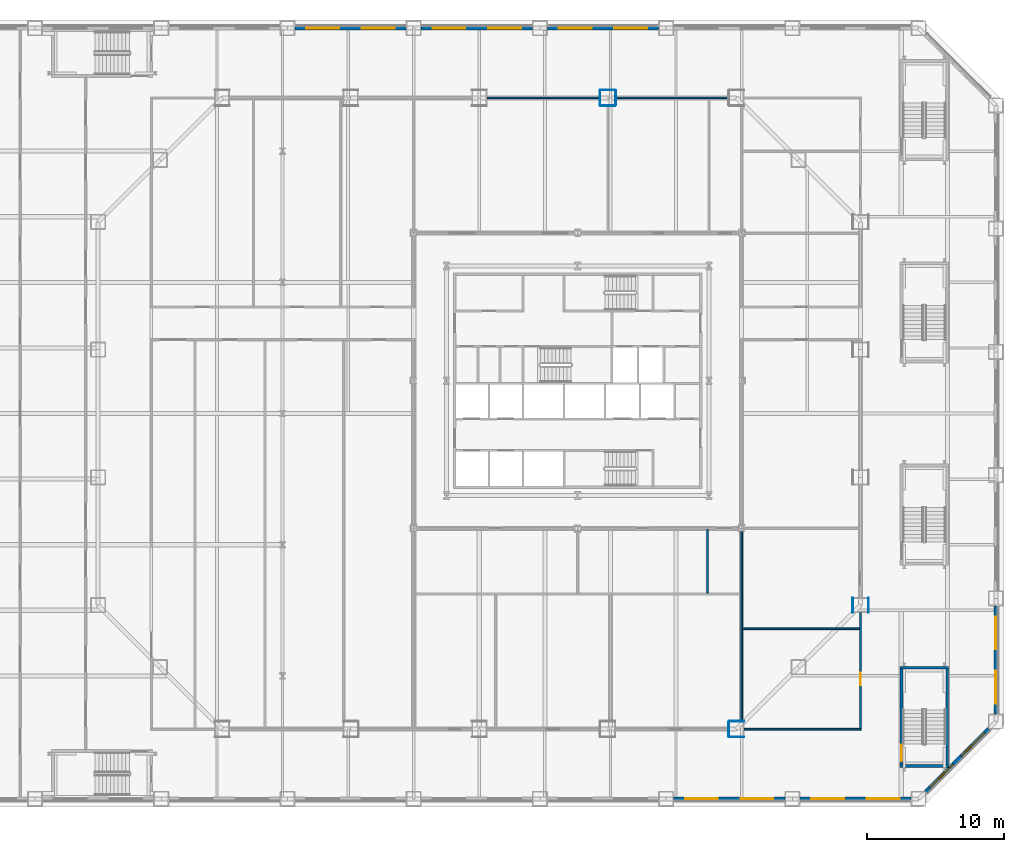
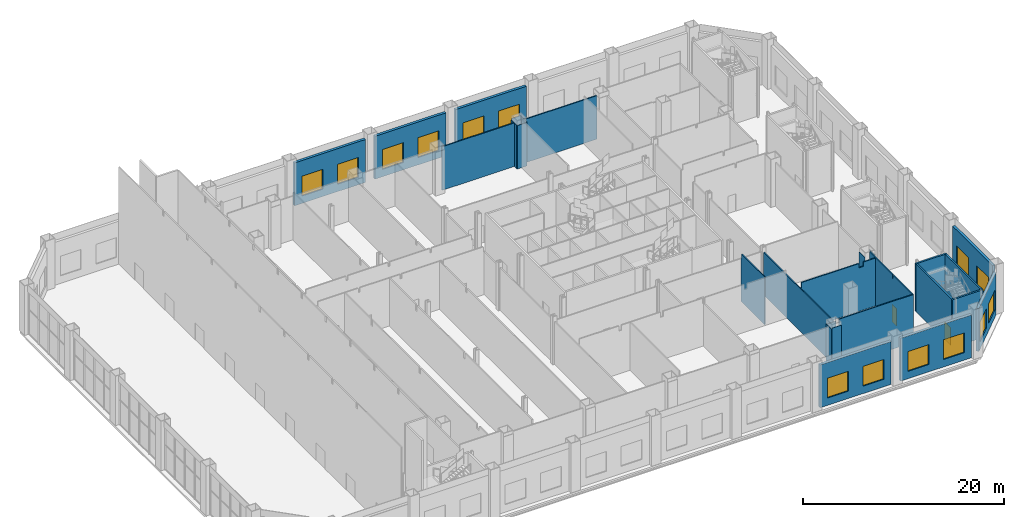
# One storey, part 21 of 31: 27 walls, 14 windows, 2 doors, 16 openings.
"""IFC4 building model written with IfcOpenShell, lengths in metres."""

import ifcopenshell
import ifcopenshell.guid

model = None  # the IFC model being written
_history = None  # IfcOwnerHistory: only IFC2X3 demands one
_inside = {}  # id of a spatial element -> (the spatial element, [elements in it])
_under = {}  # id of a project, library or spatial element -> (it, [spatial elements below it])
_declared = {}  # id of a project -> (the project, [libraries it declares])
_typed = {}  # id of a type object -> (the type object, [elements of that type])
_made_of = {}  # id of a material, layer set ... -> (it, [elements and type objects made of it])


def new_model(schema):
    """Start an empty IFC model of exactly this schema.

    Asked for "IFC4X3", IfcOpenShell would pick the latest addendum, in which some entities
    have other attributes; the version numbers below select the first issue.
    IFC2X3 requires an IfcOwnerHistory on every rooted entity: one is made here for all.
    """
    global model, _history
    if schema == "IFC4X3":
        model = ifcopenshell.file(schema_version=(4, 3, 0, 0))
    else:
        model = ifcopenshell.file(schema=schema)
    _inside.clear()
    _under.clear()
    _declared.clear()
    _typed.clear()
    _made_of.clear()
    _history = None
    if model.schema == "IFC2X3":
        org = make("IfcOrganization", Name="unknown")
        user = make(
            "IfcPersonAndOrganization",
            ThePerson=make("IfcPerson", FamilyName="unknown"),
            TheOrganization=org,
        )
        app = make(
            "IfcApplication",
            ApplicationDeveloper=org,
            Version="unknown",
            ApplicationFullName="unknown",
            ApplicationIdentifier="unknown",
        )
        _history = make(
            "IfcOwnerHistory",
            OwningUser=user,
            OwningApplication=app,
            ChangeAction="ADDED",
            CreationDate=0,
        )
    return model


def make(cls, **values):
    """One entity of the class cls with the attributes given. An attribute that is None is left unset."""
    return model.create_entity(
        cls, **{name: value for name, value in values.items() if value is not None}
    )


def rooted(cls, **values):
    """An entity with a GlobalId (a new one), such as an element, a storey or a relation."""
    return make(cls, GlobalId=ifcopenshell.guid.new(), OwnerHistory=_history, **values)


def si_unit(unit_type, name, prefix=None):
    """IfcSIUnit, for example si_unit("LENGTHUNIT", "METRE", prefix="MILLI")."""
    return make("IfcSIUnit", UnitType=unit_type, Prefix=prefix, Name=name)


def assignment(units):
    """IfcUnitAssignment: the units of a project."""
    return None if units is None else make("IfcUnitAssignment", Units=units)


def point(xyz):
    """IfcCartesianPoint."""
    return None if xyz is None else make("IfcCartesianPoint", Coordinates=xyz)


def direction(xyz):
    """IfcDirection."""
    return None if xyz is None else make("IfcDirection", DirectionRatios=xyz)


def frame(location, z_axis=None, x_axis=None):
    """IfcAxis2Placement3D, a coordinate frame: its origin and axes. An axis left out is left unset."""
    return make(
        "IfcAxis2Placement3D",
        Location=point(location),
        Axis=direction(z_axis),
        RefDirection=direction(x_axis),
    )


def frame_2d(location, x_axis=None):
    """IfcAxis2Placement2D, a coordinate frame in the plane: its origin and x axis."""
    return make(
        "IfcAxis2Placement2D", Location=point(location), RefDirection=direction(x_axis)
    )


def origin():
    """The frame at (0, 0, 0) with its axes left unset."""
    return frame((0.0, 0.0, 0.0))


def place(relative_to, where):
    """IfcLocalPlacement: puts the frame where relative to a parent placement (None: the world)."""
    return make(
        "IfcLocalPlacement", PlacementRelTo=relative_to, RelativePlacement=where
    )


def context(
    kind, dimensions, precision=None, world=None, true_north=None, identifier=None
):
    """IfcGeometricRepresentationContext, for example the 3D "Model" context."""
    return make(
        "IfcGeometricRepresentationContext",
        ContextIdentifier=identifier,
        ContextType=kind,
        CoordinateSpaceDimension=dimensions,
        Precision=precision,
        WorldCoordinateSystem=world,
        TrueNorth=true_north,
    )


def subcontext(parent, identifier, kind, view, scale=None):
    """IfcGeometricRepresentationSubContext, for example "Body" below "Model"."""
    return make(
        "IfcGeometricRepresentationSubContext",
        ContextIdentifier=identifier,
        ContextType=kind,
        ParentContext=parent,
        TargetScale=scale,
        TargetView=view,
    )


def project(units=None, contexts=None):
    """IfcProject with its units and contexts."""
    return rooted(
        "IfcProject",
        Name="project",
        RepresentationContexts=contexts,
        UnitsInContext=assignment(units),
    )


def spatial(cls, under=None, at=None, **own):
    """A site, building, storey or space (cls), placed at a placement, below another one or the project."""
    s = rooted(cls, ObjectPlacement=at, **own)
    if under is not None:
        _under.setdefault(under.id(), (under, []))[1].append(s)
    return s


def polyline(points):
    """IfcPolyline through the points."""
    return make("IfcPolyline", Points=[point(p) for p in points])


def profile(cls, at=None, kind="AREA", **sizes):
    """A parametric profile (cls). Its sizes go by their IFC names, for example OverallWidth=200.0."""
    return make(cls, ProfileType=kind, Position=at, **sizes)


def rectangle(**sizes):
    """IfcRectangleProfileDef."""
    return profile("IfcRectangleProfileDef", **sizes)


def outline(outer, holes=None, kind="AREA"):
    """IfcArbitraryClosedProfileDef: a profile drawn as a closed curve; with holes, ...WithVoids."""
    if holes is None:
        return make("IfcArbitraryClosedProfileDef", ProfileType=kind, OuterCurve=outer)
    return make(
        "IfcArbitraryProfileDefWithVoids",
        ProfileType=kind,
        OuterCurve=outer,
        InnerCurves=holes,
    )


def extrude(swept, where, along, depth):
    """IfcExtrudedAreaSolid: the profile swept, set in the frame where, extruded along a direction by depth."""
    return make(
        "IfcExtrudedAreaSolid",
        SweptArea=swept,
        Position=where,
        ExtrudedDirection=direction(along),
        Depth=depth,
    )


def shape(context_of_items, identifier, shape_type, items):
    """IfcShapeRepresentation: the items that make up one representation, for example the "Body"."""
    return make(
        "IfcShapeRepresentation",
        ContextOfItems=context_of_items,
        RepresentationIdentifier=identifier,
        RepresentationType=shape_type,
        Items=items,
    )


def material(Name=None, Category=None):
    """IfcMaterial."""
    return make("IfcMaterial", Name=Name, Category=Category)


def layer(
    of_material, thickness, ventilated=None, Name=None, Category=None, Priority=None
):
    """IfcMaterialLayer: one layer of a wall or slab, of a material (None: an air gap)."""
    return make(
        "IfcMaterialLayer",
        Material=of_material,
        LayerThickness=thickness,
        IsVentilated=ventilated,
        Name=Name,
        Category=Category,
        Priority=Priority,
    )


def layer_set(layers, Name=None):
    """IfcMaterialLayerSet."""
    return make("IfcMaterialLayerSet", MaterialLayers=layers, LayerSetName=Name)


def made_of(thing, what):
    """Note that an element or type object is made of a material, layer set ...; save() writes the relation."""
    if what is not None:
        _made_of.setdefault(what.id(), (what, []))[1].append(thing)
    return thing


def type_object(cls, material=None, **own):
    """A type object (cls), such as IfcWallType, which elements share."""
    return made_of(rooted(cls, **own), material)


def element(
    cls,
    number,
    at=None,
    inside=None,
    cuts=None,
    type_object=None,
    material=None,
    context=None,
    identifier="Body",
    shape_type=None,
    held_by="IfcProductDefinitionShape",
    body=None,
    shapes=None,
    **own,
):
    """One element of the class cls, such as IfcWall. Its Tag is "e" and its number.

    at: its placement. inside: the storey or other place that contains it. cuts: it is an
    opening in that element (IfcRelVoidsElement). A single representation is given by context,
    identifier, shape_type and body (its items); several are given by shapes. held_by: the class
    of the entity that holds the representations. save() writes the other relations.
    """
    e = rooted(cls, Tag="e%d" % number, ObjectPlacement=at, **own)
    if body is not None:
        shapes = [shape(context, identifier, shape_type, body)]
    if shapes is not None:
        e.Representation = make(held_by, Representations=shapes)
    if inside is not None:
        _inside.setdefault(inside.id(), (inside, []))[1].append(e)
    if cuts is not None:
        rooted(
            "IfcRelVoidsElement", RelatingBuildingElement=cuts, RelatedOpeningElement=e
        )
    if type_object is not None:
        _typed.setdefault(type_object.id(), (type_object, []))[1].append(e)
    return made_of(e, material)


def fill(opening, filler):
    """IfcRelFillsElement: the door or window that sits in an opening."""
    return rooted(
        "IfcRelFillsElement",
        RelatingOpeningElement=opening,
        RelatedBuildingElement=filler,
    )


def aggregate(whole, parts):
    """IfcRelAggregates: a whole, such as a stair, and the parts it consists of."""
    return rooted("IfcRelAggregates", RelatingObject=whole, RelatedObjects=parts)


def save(model, path):
    """Write the relations noted so far, then the file.

    IfcRelAggregates (storeys below a building ...), IfcRelContainedInSpatialStructure (elements
    in a storey), IfcRelDefinesByType, IfcRelAssociatesMaterial and IfcRelDeclares: one each for
    every whole, place, type object, material and project.
    """
    for whole, parts in _under.values():
        aggregate(whole, parts)
    for where, things in _inside.values():
        rooted(
            "IfcRelContainedInSpatialStructure",
            RelatedElements=things,
            RelatingStructure=where,
        )
    for kind, things in _typed.values():
        rooted("IfcRelDefinesByType", RelatedObjects=things, RelatingType=kind)
    for what, things in _made_of.values():
        rooted("IfcRelAssociatesMaterial", RelatedObjects=things, RelatingMaterial=what)
    for by, libraries in _declared.values():
        rooted("IfcRelDeclares", RelatingContext=by, RelatedDefinitions=libraries)
    model.write(path)


model = new_model("IFC4")

# Units and contexts
model_context = context("Model", 3, precision=1e-05, world=origin(), true_north=direction((0.0, 1.0)))
body_context = subcontext(model_context, "Body", "Model", "MODEL_VIEW")
ifc_project = project(units=[si_unit("LENGTHUNIT", "METRE"), si_unit("AREAUNIT", "SQUARE_METRE"), si_unit("VOLUMEUNIT", "CUBIC_METRE"), si_unit("PLANEANGLEUNIT", "RADIAN"), si_unit("MASSUNIT", "GRAM", prefix="KILO")], contexts=[model_context])

# Site, building, storey
site_placement = place(None, origin())
site = spatial("IfcSite", under=ifc_project, at=site_placement, CompositionType="ELEMENT")
building_placement = place(site_placement, origin())
building = spatial("IfcBuilding", under=site, at=building_placement, Name="Cairn Pilgrim Tower", CompositionType="ELEMENT")
storey_placement = place(building_placement, frame((0.0, 0.0, 9.0)))
storey = spatial("IfcBuildingStorey", under=building, at=storey_placement, Name="L01", CompositionType="ELEMENT", Elevation=9.0)

# Wall
ifc_material_1 = material(Name="Gypsum partition")
ifc_layer_1 = layer(ifc_material_1, 0.125)
ifc_layer_set_1 = layer_set([ifc_layer_1], Name="PARTITION 125 DRYWALL EI 60")
wall_type_1 = type_object("IfcWallType", Name="PARTITION 125 DRYWALL EI 60", PredefinedType="PARTITIONING", material=ifc_layer_set_1)
wall_1_placement = place(storey_placement, frame((19.377197265625, -23.10009765625, 0.0), z_axis=(0.0, 0.0, 1.0), x_axis=(1.0, 0.0, 0.0)))
element("IfcWall", 1, at=wall_1_placement, inside=storey, type_object=wall_type_1, Name="PARTITION W015", PredefinedType="PARTITIONING", context=body_context, shape_type="SweptSolid", body=[
    extrude(rectangle(XDim=8.585205078125, YDim=0.125, at=frame_2d((4.29248046875, 0.0))), origin(), (0.0, 0.0, 1.0), 5.800048828125),
])

# Wall, opening, door
wall_2_placement = place(storey_placement, frame((27.89990234375, -23.03759765625, 0.0), z_axis=(0.0, 0.0, 1.0), x_axis=(0.0, 1.0, 0.0)))
wall_2 = element("IfcWall", 2, at=wall_2_placement, inside=storey, type_object=wall_type_1, Name="PARTITION W021", PredefinedType="PARTITIONING", context=body_context, shape_type="SweptSolid", body=[
    extrude(outline(polyline([(0.0, 0.0), (8.46044921875, 0.0), (8.460205078125, 5.800048828125), (3.927490234375, 5.800048828125), (3.925537109375, 5.3798828125), (3.74755859375, 5.3798828125), (3.74560546875, 5.800048828125), (0.0, 5.800048828125), (0.0, 0.0)])), frame((0.0, 0.0625, 0.0), z_axis=(0.0, -1.0, 0.0), x_axis=(1.0, 0.0, 0.0)), (0.0, 0.0, 1.0), 0.125),
])
opening_1_placement = place(wall_2_placement, frame((3.16259765625, 0.0, 0.0)))
opening_1 = element("IfcOpeningElement", 3, at=opening_1_placement, cuts=wall_2, Name="Opening 0122", PredefinedType="OPENING", context=body_context, shape_type="SweptSolid", body=[
    extrude(rectangle(XDim=0.89990234375, YDim=2.10009765625, at=frame_2d((0.449951171875, 1.050048828125))), frame((0.0, 0.072509765625, 0.0), z_axis=(0.0, -1.0, 0.0), x_axis=(1.0, 0.0, 0.0)), (0.0, 0.0, 1.0), 0.14501953125),
])
ifc_material_2 = material(Name="Timber door leaf", Category="wood")
door_type_1 = type_object("IfcDoorType", Name="ROOM DOOR 900x2100 FD30S", OperationType="NOTDEFINED", PredefinedType="DOOR", material=ifc_material_2)
door_1_placement = place(opening_1_placement, frame((0.89990234375, 0.0, 0.0), z_axis=(0.0, 0.0, 1.0), x_axis=(-1.0, 0.0, 0.0)))
door_1 = element("IfcDoor", 4, at=door_1_placement, inside=storey, type_object=door_type_1, Name="DOOR 0122", OperationType="SINGLE_SWING_RIGHT", OverallHeight=2.10009765625, OverallWidth=0.89990234375, PredefinedType="DOOR", context=body_context, shape_type="SweptSolid", body=[
    extrude(rectangle(XDim=0.89990234375, YDim=2.10009765625, at=frame_2d((0.449951171875, 1.050048828125))), frame((0.0, 0.02490234375, 0.0), z_axis=(0.0, -1.0, 0.0), x_axis=(1.0, 0.0, 0.0)), (0.0, 0.0, 1.0), 0.050048828125),
])
fill(opening_1, door_1)

# Walls
wall_3_placement = place(storey_placement, frame((19.199951171875, -22.550048828125, 0.0), z_axis=(0.0, 0.0, 1.0), x_axis=(0.0, 1.0, 0.0)))
element("IfcWall", 5, at=wall_3_placement, inside=storey, type_object=wall_type_1, Name="PARTITION W024", PredefinedType="PARTITIONING", context=body_context, shape_type="SweptSolid", body=[
    extrude(rectangle(XDim=13.9130859375, YDim=0.125, at=frame_2d((6.95654296875, 0.0))), origin(), (0.0, 0.0, 1.0), 5.179931640625),
])
wall_4_placement = place(storey_placement, frame((19.262451171875, -15.75, 0.0), z_axis=(0.0, 0.0, 1.0), x_axis=(1.0, 0.0, 0.0)))
element("IfcWall", 6, at=wall_4_placement, inside=storey, type_object=wall_type_1, Name="PARTITION W026", PredefinedType="PARTITIONING", context=body_context, shape_type="SweptSolid", body=[
    extrude(outline(polyline([(0.0, 0.0), (8.574951171875, 0.0), (8.574951171875, 5.800048828125), (7.189208984375, 5.800048828125), (7.187255859375, 5.280029296875), (6.64013671875, 5.280029296875), (6.63818359375, 5.800048828125), (0.08740234375, 5.800048828125), (0.08544921875, 5.179931640625), (0.0, 5.179931640625), (0.0, 0.0)])), frame((0.0, 0.0625, 0.0), z_axis=(0.0, -1.0, 0.0), x_axis=(1.0, 0.0, 0.0)), (0.0, 0.0, 1.0), 0.125),
])
wall_5_placement = place(storey_placement, frame((16.699951171875, -13.137451171875, 0.0), z_axis=(0.0, 0.0, 1.0), x_axis=(0.0, 1.0, 0.0)))
element("IfcWall", 7, at=wall_5_placement, inside=storey, type_object=wall_type_1, Name="PARTITION W030", PredefinedType="PARTITIONING", context=body_context, shape_type="SweptSolid", body=[
    extrude(outline(polyline([(0.0, 0.0), (4.675048828125, 0.0), (4.675048828125, 5.179931640625), (4.58740234375, 5.179931640625), (4.58544921875, 5.800048828125), (0.0, 5.800048828125), (0.0, 0.0)])), frame((0.0, 0.0625, 0.0), z_axis=(0.0, -1.0, 0.0), x_axis=(1.0, 0.0, 0.0)), (0.0, 0.0, 1.0), 0.125),
])
for number, where, z_axis, x_axis, name in (
    (8, (0.550048828125, 23.10009765625, 0.0), (0.0, 0.0, 1.0), (1.0, 0.0, 0.0), "PARTITION W073"),
    (9, (9.963623046875, 23.10009765625, 0.0), (0.0, 0.0, 1.0), (1.0, 0.0, 0.0), "PARTITION W074"),
):
    element("IfcWall", number, at=place(storey_placement, frame(where, z_axis=z_axis, x_axis=x_axis)), inside=storey, type_object=wall_type_1, Name=name, PredefinedType="PARTITIONING", context=body_context, shape_type="SweptSolid", body=[
        extrude(rectangle(XDim=8.3134765625, YDim=0.125, at=frame_2d((4.15673828125, 0.0))), origin(), (0.0, 0.0, 1.0), 5.280029296875),
    ])
ifc_layer_2 = layer(ifc_material_1, 0.050048828125)
ifc_layer_set_2 = layer_set([ifc_layer_2], Name="PARTITION 50 DRYWALL EI 60")
wall_type_2 = type_object("IfcWallType", Name="PARTITION 50 DRYWALL EI 60", PredefinedType="PARTITIONING", material=ifc_layer_set_2)
wall_6_placement = place(storey_placement, frame((18.277099609375, -22.52490234375, 0.0), z_axis=(0.0, 0.0, 1.0), x_axis=(1.0, 0.0, 0.0)))
element("IfcWall", 10, at=wall_6_placement, inside=storey, type_object=wall_type_2, Name="COLUMN CASING WC09", PredefinedType="PARTITIONING", context=body_context, shape_type="SweptSolid", body=[
    extrude(rectangle(XDim=1.10009765625, YDim=0.050048828125, at=frame_2d((0.550048828125, 0.0))), origin(), (0.0, 0.0, 1.0), 5.179931640625),
])
wall_7_placement = place(storey_placement, frame((18.277099609375, -23.675048828125, 0.0), z_axis=(0.0, 0.0, 1.0), x_axis=(1.0, 0.0, 0.0)))
element("IfcWall", 11, at=wall_7_placement, inside=storey, type_object=wall_type_2, Name="COLUMN CASING WC10", PredefinedType="PARTITIONING", context=body_context, shape_type="SweptSolid", body=[
    extrude(rectangle(XDim=1.10009765625, YDim=0.050048828125, at=frame_2d((0.550048828125, 0.0))), origin(), (0.0, 0.0, 1.0), 5.419921875),
])
for number, where, z_axis, x_axis, name in (
    (12, (18.252197265625, -23.64990234375, 0.0), (0.0, 0.0, 1.0), (0.0, 1.0, 0.0), "COLUMN CASING WC14"),
    (13, (27.324951171875, -14.5771484375, 0.0), (0.0, 0.0, 1.0), (0.0, 1.0, 0.0), "COLUMN CASING WC16"),
    (14, (28.47509765625, -14.5771484375, 0.0), (0.0, 0.0, 1.0), (0.0, 1.0, 0.0), "COLUMN CASING WC17"),
    (15, (9.988525390625, 22.550048828125, 0.0), (0.0, 0.0, 1.0), (0.0, 1.0, 0.0), "COLUMN CASING WC35"),
    (16, (8.838623046875, 22.550048828125, 0.0), (0.0, 0.0, 1.0), (0.0, 1.0, 0.0), "COLUMN CASING WC36"),
):
    element("IfcWall", number, at=place(storey_placement, frame(where, z_axis=z_axis, x_axis=x_axis)), inside=storey, type_object=wall_type_2, Name=name, PredefinedType="PARTITIONING", context=body_context, shape_type="SweptSolid", body=[
        extrude(rectangle(XDim=1.099853515625, YDim=0.050048828125, at=frame_2d((0.5498046875, 0.0))), origin(), (0.0, 0.0, 1.0), 5.280029296875),
    ])
wall_8_placement = place(storey_placement, frame((8.863525390625, 23.675048828125, 0.0), z_axis=(0.0, 0.0, 1.0), x_axis=(1.0, 0.0, 0.0)))
element("IfcWall", 17, at=wall_8_placement, inside=storey, type_object=wall_type_2, Name="COLUMN CASING WC44", PredefinedType="PARTITIONING", context=body_context, shape_type="SweptSolid", body=[
    extrude(rectangle(XDim=1.10009765625, YDim=0.050048828125, at=frame_2d((0.550048828125, 0.0))), origin(), (0.0, 0.0, 1.0), 5.419921875),
])
wall_9_placement = place(storey_placement, frame((8.863525390625, 22.52490234375, 0.0), z_axis=(0.0, 0.0, 1.0), x_axis=(1.0, 0.0, 0.0)))
element("IfcWall", 18, at=wall_9_placement, inside=storey, type_object=wall_type_2, Name="COLUMN CASING WC45", PredefinedType="PARTITIONING", context=body_context, shape_type="SweptSolid", body=[
    extrude(rectangle(XDim=1.10009765625, YDim=0.050048828125, at=frame_2d((0.550048828125, 0.0))), origin(), (0.0, 0.0, 1.0), 5.280029296875),
])
ifc_material_3 = material(Name="Concrete C35/45", Category="concrete")
ifc_layer_3 = layer(ifc_material_3, 0.199951171875)
ifc_layer_set_3 = layer_set([ifc_layer_3], Name="PODIUM STAIR WALL 200 EI 120")
wall_type_3 = type_object("IfcWallType", Name="PODIUM STAIR WALL 200 EI 120", PredefinedType="SOLIDWALL", material=ifc_layer_set_3)
wall_10_placement = place(storey_placement, frame((30.800048828125, -25.800048828125, 0.0), z_axis=(0.0, 0.0, 1.0), x_axis=(1.0, 0.0, 0.0)))
element("IfcWall", 19, at=wall_10_placement, inside=storey, type_object=wall_type_3, Name="STAIR SHAFT WALL W004", PredefinedType="SOLIDWALL", context=body_context, shape_type="SweptSolid", body=[
    extrude(rectangle(XDim=3.550048828125, YDim=0.199951171875, at=frame_2d((1.77490234375, 0.0))), origin(), (0.0, 0.0, 1.0), 5.800048828125),
])

# Wall, opening, door
wall_11_placement = place(storey_placement, frame((30.89990234375, -25.699951171875, 0.0), z_axis=(0.0, 0.0, 1.0), x_axis=(0.0, 1.0, 0.0)))
wall_11 = element("IfcWall", 20, at=wall_11_placement, inside=storey, type_object=wall_type_3, Name="STAIR SHAFT WALL W005", PredefinedType="SOLIDWALL", context=body_context, shape_type="SweptSolid", body=[
    extrude(rectangle(XDim=7.0, YDim=0.199951171875, at=frame_2d((3.5, 0.0))), origin(), (0.0, 0.0, 1.0), 5.800048828125),
])
opening_2_placement = place(wall_11_placement, frame((0.25, 0.0, 0.0)))
opening_2 = element("IfcOpeningElement", 21, at=opening_2_placement, cuts=wall_11, Name="Opening 0128", PredefinedType="OPENING", context=body_context, shape_type="SweptSolid", body=[
    extrude(rectangle(XDim=1.199951171875, YDim=2.10009765625, at=frame_2d((0.60009765625, 1.050048828125))), frame((0.0, 0.10986328125, 0.0), z_axis=(0.0, -1.0, 0.0), x_axis=(1.0, 0.0, 0.0)), (0.0, 0.0, 1.0), 0.219970703125),
])
ifc_material_4 = material(Name="Steel-faced fire door leaf", Category="steel")
door_type_2 = type_object("IfcDoorType", Name="FIRE DOOR 1200x2100 FD60S", OperationType="NOTDEFINED", PredefinedType="DOOR", material=ifc_material_4)
door_2_placement = place(opening_2_placement, frame((1.199951171875, 0.0, 0.0), z_axis=(0.0, 0.0, 1.0), x_axis=(-1.0, 0.0, 0.0)))
door_2 = element("IfcDoor", 22, at=door_2_placement, inside=storey, type_object=door_type_2, Name="DOOR 0128", OperationType="SINGLE_SWING_LEFT", OverallHeight=2.10009765625, OverallWidth=1.199951171875, PredefinedType="DOOR", context=body_context, shape_type="SweptSolid", body=[
    extrude(rectangle(XDim=1.199951171875, YDim=2.10009765625, at=frame_2d((0.60009765625, 1.050048828125))), frame((0.0, 0.02490234375, 0.0), z_axis=(0.0, -1.0, 0.0), x_axis=(1.0, 0.0, 0.0)), (0.0, 0.0, 1.0), 0.050048828125),
])
fill(opening_2, door_2)

# Walls
wall_12_placement = place(storey_placement, frame((34.25, -25.699951171875, 0.0), z_axis=(0.0, 0.0, 1.0), x_axis=(0.0, 1.0, 0.0)))
element("IfcWall", 23, at=wall_12_placement, inside=storey, type_object=wall_type_3, Name="STAIR SHAFT WALL W006", PredefinedType="SOLIDWALL", context=body_context, shape_type="SweptSolid", body=[
    extrude(rectangle(XDim=7.0, YDim=0.199951171875, at=frame_2d((3.5, 0.0))), origin(), (0.0, 0.0, 1.0), 5.800048828125),
])
wall_13_placement = place(storey_placement, frame((30.800048828125, -18.60009765625, 0.0), z_axis=(0.0, 0.0, 1.0), x_axis=(1.0, 0.0, 0.0)))
element("IfcWall", 24, at=wall_13_placement, inside=storey, type_object=wall_type_3, Name="STAIR SHAFT WALL W025", PredefinedType="SOLIDWALL", context=body_context, shape_type="SweptSolid", body=[
    extrude(rectangle(XDim=3.550048828125, YDim=0.199951171875, at=frame_2d((1.77490234375, 0.0))), origin(), (0.0, 0.0, 1.0), 5.800048828125),
])

# Wall, openings, windows
ifc_material_5 = material(Name="Concrete C35/45 backup wall with bronze aluminium cladding", Category="concrete")
ifc_layer_4 = layer(ifc_material_5, 0.300048828125)
ifc_layer_set_4 = layer_set([ifc_layer_4], Name="PODIUM WALL 300 BRONZE-CLAD")
wall_type_4 = type_object("IfcWallType", Name="PODIUM WALL 300 BRONZE-CLAD", PredefinedType="SOLIDWALL", material=ifc_layer_set_4)
wall_14_placement = place(storey_placement, frame((14.2255859375, -28.199951171875, 0.0), z_axis=(0.0, 0.0, 1.0), x_axis=(1.0, 0.0, 0.0)))
wall_14 = element("IfcWall", 25, at=wall_14_placement, inside=storey, type_object=wall_type_4, Name="PODIUM EXTERNAL WALL S7-S8", PredefinedType="SOLIDWALL", context=body_context, shape_type="SweptSolid", body=[
    extrude(rectangle(XDim=8.137939453125, YDim=0.300048828125, at=frame_2d((4.06884765625, 0.0))), origin(), (0.0, 0.0, 1.0), 5.199951171875),
])
opening_3_placement = place(wall_14_placement, frame((0.83447265625, 0.0, 0.89990234375)))
opening_3 = element("IfcOpeningElement", 26, at=opening_3_placement, cuts=wall_14, Name="Opening PW24", PredefinedType="OPENING", context=body_context, shape_type="SweptSolid", body=[
    extrude(rectangle(XDim=2.39990234375, YDim=2.39990234375, at=frame_2d((1.199951171875, 1.199951171875))), frame((0.0, 0.16015625, 0.0), z_axis=(0.0, -1.0, 0.0), x_axis=(1.0, 0.0, 0.0)), (0.0, 0.0, 1.0), 0.320068359375),
])
opening_4_placement = place(wall_14_placement, frame((4.9033203125, 0.0, 0.89990234375)))
opening_4 = element("IfcOpeningElement", 27, at=opening_4_placement, cuts=wall_14, Name="Opening PW24", PredefinedType="OPENING", context=body_context, shape_type="SweptSolid", body=[
    extrude(rectangle(XDim=2.39990234375, YDim=2.39990234375, at=frame_2d((1.199951171875, 1.199951171875))), frame((0.0, 0.16015625, 0.0), z_axis=(0.0, -1.0, 0.0), x_axis=(1.0, 0.0, 0.0)), (0.0, 0.0, 1.0), 0.320068359375),
])
ifc_material_6 = material(Name="Bronze anodised aluminium frame with tinted low-E glass", Category="aluminium")
window_type = type_object("IfcWindowType", Name="PODIUM FIXED WINDOW 2400x2400", PartitioningType="SINGLE_PANEL", PredefinedType="WINDOW", material=ifc_material_6)
window_1_placement = place(opening_3_placement, origin())
window_1 = element("IfcWindow", 28, at=window_1_placement, inside=storey, type_object=window_type, Name="PODIUM WINDOW", OverallHeight=2.39990234375, OverallWidth=2.39990234375, PartitioningType="SINGLE_PANEL", PredefinedType="WINDOW", context=body_context, shape_type="SweptSolid", body=[
    extrude(rectangle(XDim=2.39990234375, YDim=2.39990234375, at=frame_2d((1.199951171875, 1.199951171875))), frame((0.0, 0.030029296875, 0.0), z_axis=(0.0, -1.0, 0.0), x_axis=(1.0, 0.0, 0.0)), (0.0, 0.0, 1.0), 0.06005859375),
])
fill(opening_3, window_1)
window_2_placement = place(opening_4_placement, origin())
window_2 = element("IfcWindow", 29, at=window_2_placement, inside=storey, type_object=window_type, Name="PODIUM WINDOW", OverallHeight=2.39990234375, OverallWidth=2.39990234375, PartitioningType="SINGLE_PANEL", PredefinedType="WINDOW", context=body_context, shape_type="SweptSolid", body=[
    extrude(rectangle(XDim=2.39990234375, YDim=2.39990234375, at=frame_2d((1.199951171875, 1.199951171875))), frame((0.0, 0.030029296875, 0.0), z_axis=(0.0, -1.0, 0.0), x_axis=(1.0, 0.0, 0.0)), (0.0, 0.0, 1.0), 0.06005859375),
])
fill(opening_4, window_2)

wall_15_placement = place(storey_placement, frame((23.463623046875, -28.199951171875, 0.0), z_axis=(0.0, 0.0, 1.0), x_axis=(1.0, 0.0, 0.0)))
wall_15 = element("IfcWall", 30, at=wall_15_placement, inside=storey, type_object=wall_type_4, Name="PODIUM EXTERNAL WALL S8-SE1", PredefinedType="SOLIDWALL", context=body_context, shape_type="SweptSolid", body=[
    extrude(rectangle(XDim=8.137939453125, YDim=0.300048828125, at=frame_2d((4.06884765625, 0.0))), origin(), (0.0, 0.0, 1.0), 5.199951171875),
])
opening_5_placement = place(wall_15_placement, frame((0.83447265625, 0.0, 0.89990234375)))
opening_5 = element("IfcOpeningElement", 31, at=opening_5_placement, cuts=wall_15, Name="Opening PW24", PredefinedType="OPENING", context=body_context, shape_type="SweptSolid", body=[
    extrude(rectangle(XDim=2.39990234375, YDim=2.39990234375, at=frame_2d((1.199951171875, 1.199951171875))), frame((0.0, 0.16015625, 0.0), z_axis=(0.0, -1.0, 0.0), x_axis=(1.0, 0.0, 0.0)), (0.0, 0.0, 1.0), 0.320068359375),
])
opening_6_placement = place(wall_15_placement, frame((4.9033203125, 0.0, 0.89990234375)))
opening_6 = element("IfcOpeningElement", 32, at=opening_6_placement, cuts=wall_15, Name="Opening PW24", PredefinedType="OPENING", context=body_context, shape_type="SweptSolid", body=[
    extrude(rectangle(XDim=2.39990234375, YDim=2.39990234375, at=frame_2d((1.199951171875, 1.199951171875))), frame((0.0, 0.16015625, 0.0), z_axis=(0.0, -1.0, 0.0), x_axis=(1.0, 0.0, 0.0)), (0.0, 0.0, 1.0), 0.320068359375),
])
window_3_placement = place(opening_5_placement, origin())
window_3 = element("IfcWindow", 33, at=window_3_placement, inside=storey, type_object=window_type, Name="PODIUM WINDOW", OverallHeight=2.39990234375, OverallWidth=2.39990234375, PartitioningType="SINGLE_PANEL", PredefinedType="WINDOW", context=body_context, shape_type="SweptSolid", body=[
    extrude(rectangle(XDim=2.39990234375, YDim=2.39990234375, at=frame_2d((1.199951171875, 1.199951171875))), frame((0.0, 0.030029296875, 0.0), z_axis=(0.0, -1.0, 0.0), x_axis=(1.0, 0.0, 0.0)), (0.0, 0.0, 1.0), 0.06005859375),
])
fill(opening_5, window_3)
window_4_placement = place(opening_6_placement, origin())
window_4 = element("IfcWindow", 34, at=window_4_placement, inside=storey, type_object=window_type, Name="PODIUM WINDOW", OverallHeight=2.39990234375, OverallWidth=2.39990234375, PartitioningType="SINGLE_PANEL", PredefinedType="WINDOW", context=body_context, shape_type="SweptSolid", body=[
    extrude(rectangle(XDim=2.39990234375, YDim=2.39990234375, at=frame_2d((1.199951171875, 1.199951171875))), frame((0.0, 0.030029296875, 0.0), z_axis=(0.0, -1.0, 0.0), x_axis=(1.0, 0.0, 0.0)), (0.0, 0.0, 1.0), 0.06005859375),
])
fill(opening_6, window_4)

wall_16_placement = place(storey_placement, frame((32.6748046875, -27.6767578125, 0.0), z_axis=(0.0, 0.0, 1.0), x_axis=(0.707088024292, 0.707125537583, 0.0)))
wall_16 = element("IfcWall", 35, at=wall_16_placement, inside=storey, type_object=wall_type_4, Name="PODIUM EXTERNAL WALL SE1-E1", PredefinedType="SOLIDWALL", context=body_context, shape_type="SweptSolid", body=[
    extrude(rectangle(XDim=6.508056640625, YDim=0.300048828125, at=frame_2d((3.25390625, 0.0))), origin(), (0.0, 0.0, 1.0), 5.199951171875),
])
opening_7_placement = place(wall_16_placement, frame((0.427001953125, 0.0, 0.89990234375)))
opening_7 = element("IfcOpeningElement", 36, at=opening_7_placement, cuts=wall_16, Name="Opening PW24", PredefinedType="OPENING", context=body_context, shape_type="SweptSolid", body=[
    extrude(rectangle(XDim=2.39990234375, YDim=2.39990234375, at=frame_2d((1.199951171875, 1.199951171875))), frame((0.0, 0.16015625, 0.0), z_axis=(0.0, -1.0, 0.0), x_axis=(1.0, 0.0, 0.0)), (0.0, 0.0, 1.0), 0.320068359375),
])
opening_8_placement = place(wall_16_placement, frame((3.68115234375, 0.0, 0.89990234375)))
opening_8 = element("IfcOpeningElement", 37, at=opening_8_placement, cuts=wall_16, Name="Opening PW24", PredefinedType="OPENING", context=body_context, shape_type="SweptSolid", body=[
    extrude(rectangle(XDim=2.39990234375, YDim=2.39990234375, at=frame_2d((1.199951171875, 1.199951171875))), frame((0.0, 0.16015625, 0.0), z_axis=(0.0, -1.0, 0.0), x_axis=(1.0, 0.0, 0.0)), (0.0, 0.0, 1.0), 0.320068359375),
])
window_5_placement = place(opening_7_placement, origin())
window_5 = element("IfcWindow", 38, at=window_5_placement, inside=storey, type_object=window_type, Name="PODIUM WINDOW", OverallHeight=2.39990234375, OverallWidth=2.39990234375, PartitioningType="SINGLE_PANEL", PredefinedType="WINDOW", context=body_context, shape_type="SweptSolid", body=[
    extrude(rectangle(XDim=2.39990234375, YDim=2.39990234375, at=frame_2d((1.199951171875, 1.199951171875))), frame((0.0, 0.030029296875, 0.0), z_axis=(0.0, -1.0, 0.0), x_axis=(1.0, 0.0, 0.0)), (0.0, 0.0, 1.0), 0.06005859375),
])
fill(opening_7, window_5)
window_6_placement = place(opening_8_placement, origin())
window_6 = element("IfcWindow", 39, at=window_6_placement, inside=storey, type_object=window_type, Name="PODIUM WINDOW", OverallHeight=2.39990234375, OverallWidth=2.39990234375, PartitioningType="SINGLE_PANEL", PredefinedType="WINDOW", context=body_context, shape_type="SweptSolid", body=[
    extrude(rectangle(XDim=2.39990234375, YDim=2.39990234375, at=frame_2d((1.199951171875, 1.199951171875))), frame((0.0, 0.030029296875, 0.0), z_axis=(0.0, -1.0, 0.0), x_axis=(1.0, 0.0, 0.0)), (0.0, 0.0, 1.0), 0.06005859375),
])
fill(opening_8, window_6)

wall_17_placement = place(storey_placement, frame((37.800048828125, -22.00146484375, 0.0), z_axis=(0.0, 0.0, 1.0), x_axis=(0.0, 1.0, 0.0)))
wall_17 = element("IfcWall", 40, at=wall_17_placement, inside=storey, type_object=wall_type_4, Name="PODIUM EXTERNAL WALL E1-E2", PredefinedType="SOLIDWALL", context=body_context, shape_type="SweptSolid", body=[
    extrude(rectangle(XDim=7.920654296875, YDim=0.300048828125, at=frame_2d((3.96044921875, 0.0))), origin(), (0.0, 0.0, 1.0), 5.199951171875),
])
opening_9_placement = place(wall_17_placement, frame((0.780029296875, 0.0, 0.89990234375)))
opening_9 = element("IfcOpeningElement", 41, at=opening_9_placement, cuts=wall_17, Name="Opening PW24", PredefinedType="OPENING", context=body_context, shape_type="SweptSolid", body=[
    extrude(rectangle(XDim=2.39990234375, YDim=2.39990234375, at=frame_2d((1.199951171875, 1.199951171875))), frame((0.0, 0.16015625, 0.0), z_axis=(0.0, -1.0, 0.0), x_axis=(1.0, 0.0, 0.0)), (0.0, 0.0, 1.0), 0.320068359375),
])
opening_10_placement = place(wall_17_placement, frame((4.740478515625, 0.0, 0.89990234375)))
opening_10 = element("IfcOpeningElement", 42, at=opening_10_placement, cuts=wall_17, Name="Opening PW24", PredefinedType="OPENING", context=body_context, shape_type="SweptSolid", body=[
    extrude(rectangle(XDim=2.39990234375, YDim=2.39990234375, at=frame_2d((1.199951171875, 1.199951171875))), frame((0.0, 0.16015625, 0.0), z_axis=(0.0, -1.0, 0.0), x_axis=(1.0, 0.0, 0.0)), (0.0, 0.0, 1.0), 0.320068359375),
])
window_7_placement = place(opening_9_placement, origin())
window_7 = element("IfcWindow", 43, at=window_7_placement, inside=storey, type_object=window_type, Name="PODIUM WINDOW", OverallHeight=2.39990234375, OverallWidth=2.39990234375, PartitioningType="SINGLE_PANEL", PredefinedType="WINDOW", context=body_context, shape_type="SweptSolid", body=[
    extrude(rectangle(XDim=2.39990234375, YDim=2.39990234375, at=frame_2d((1.199951171875, 1.199951171875))), frame((0.0, 0.030029296875, 0.0), z_axis=(0.0, -1.0, 0.0), x_axis=(1.0, 0.0, 0.0)), (0.0, 0.0, 1.0), 0.06005859375),
])
fill(opening_9, window_7)
window_8_placement = place(opening_10_placement, origin())
window_8 = element("IfcWindow", 44, at=window_8_placement, inside=storey, type_object=window_type, Name="PODIUM WINDOW", OverallHeight=2.39990234375, OverallWidth=2.39990234375, PartitioningType="SINGLE_PANEL", PredefinedType="WINDOW", context=body_context, shape_type="SweptSolid", body=[
    extrude(rectangle(XDim=2.39990234375, YDim=2.39990234375, at=frame_2d((1.199951171875, 1.199951171875))), frame((0.0, 0.030029296875, 0.0), z_axis=(0.0, -1.0, 0.0), x_axis=(1.0, 0.0, 0.0)), (0.0, 0.0, 1.0), 0.06005859375),
])
fill(opening_10, window_8)

wall_18_placement = place(storey_placement, frame((13.125732421875, 28.199951171875, 0.0), z_axis=(0.0, 0.0, 1.0), x_axis=(-1.0, 0.0, 0.0)))
wall_18 = element("IfcWall", 45, at=wall_18_placement, inside=storey, type_object=wall_type_4, Name="PODIUM EXTERNAL WALL N3-N4", PredefinedType="SOLIDWALL", context=body_context, shape_type="SweptSolid", body=[
    extrude(rectangle(XDim=8.137939453125, YDim=0.300048828125, at=frame_2d((4.06884765625, 0.0))), origin(), (0.0, 0.0, 1.0), 5.199951171875),
])
opening_11_placement = place(wall_18_placement, frame((0.83447265625, 0.0, 0.89990234375)))
opening_11 = element("IfcOpeningElement", 46, at=opening_11_placement, cuts=wall_18, Name="Opening PW24", PredefinedType="OPENING", context=body_context, shape_type="SweptSolid", body=[
    extrude(rectangle(XDim=2.39990234375, YDim=2.39990234375, at=frame_2d((1.199951171875, 1.199951171875))), frame((0.0, 0.16015625, 0.0), z_axis=(0.0, -1.0, 0.0), x_axis=(1.0, 0.0, 0.0)), (0.0, 0.0, 1.0), 0.320068359375),
])
opening_12_placement = place(wall_18_placement, frame((4.9033203125, 0.0, 0.89990234375)))
opening_12 = element("IfcOpeningElement", 47, at=opening_12_placement, cuts=wall_18, Name="Opening PW24", PredefinedType="OPENING", context=body_context, shape_type="SweptSolid", body=[
    extrude(rectangle(XDim=2.39990234375, YDim=2.39990234375, at=frame_2d((1.199951171875, 1.199951171875))), frame((0.0, 0.16015625, 0.0), z_axis=(0.0, -1.0, 0.0), x_axis=(1.0, 0.0, 0.0)), (0.0, 0.0, 1.0), 0.320068359375),
])
window_9_placement = place(opening_11_placement, origin())
window_9 = element("IfcWindow", 48, at=window_9_placement, inside=storey, type_object=window_type, Name="PODIUM WINDOW", OverallHeight=2.39990234375, OverallWidth=2.39990234375, PartitioningType="SINGLE_PANEL", PredefinedType="WINDOW", context=body_context, shape_type="SweptSolid", body=[
    extrude(rectangle(XDim=2.39990234375, YDim=2.39990234375, at=frame_2d((1.199951171875, 1.199951171875))), frame((0.0, 0.030029296875, 0.0), z_axis=(0.0, -1.0, 0.0), x_axis=(1.0, 0.0, 0.0)), (0.0, 0.0, 1.0), 0.06005859375),
])
fill(opening_11, window_9)
window_10_placement = place(opening_12_placement, origin())
window_10 = element("IfcWindow", 49, at=window_10_placement, inside=storey, type_object=window_type, Name="PODIUM WINDOW", OverallHeight=2.39990234375, OverallWidth=2.39990234375, PartitioningType="SINGLE_PANEL", PredefinedType="WINDOW", context=body_context, shape_type="SweptSolid", body=[
    extrude(rectangle(XDim=2.39990234375, YDim=2.39990234375, at=frame_2d((1.199951171875, 1.199951171875))), frame((0.0, 0.030029296875, 0.0), z_axis=(0.0, -1.0, 0.0), x_axis=(1.0, 0.0, 0.0)), (0.0, 0.0, 1.0), 0.06005859375),
])
fill(opening_12, window_10)

wall_19_placement = place(storey_placement, frame((3.887939453125, 28.199951171875, 0.0), z_axis=(0.0, 0.0, 1.0), x_axis=(-1.0, 0.0, 0.0)))
wall_19 = element("IfcWall", 50, at=wall_19_placement, inside=storey, type_object=wall_type_4, Name="PODIUM EXTERNAL WALL N4-N5", PredefinedType="SOLIDWALL", context=body_context, shape_type="SweptSolid", body=[
    extrude(rectangle(XDim=8.137939453125, YDim=0.300048828125, at=frame_2d((4.06884765625, 0.0))), origin(), (0.0, 0.0, 1.0), 5.199951171875),
])
opening_13_placement = place(wall_19_placement, frame((0.83447265625, 0.0, 0.89990234375)))
opening_13 = element("IfcOpeningElement", 51, at=opening_13_placement, cuts=wall_19, Name="Opening PW24", PredefinedType="OPENING", context=body_context, shape_type="SweptSolid", body=[
    extrude(rectangle(XDim=2.39990234375, YDim=2.39990234375, at=frame_2d((1.199951171875, 1.199951171875))), frame((0.0, 0.16015625, 0.0), z_axis=(0.0, -1.0, 0.0), x_axis=(1.0, 0.0, 0.0)), (0.0, 0.0, 1.0), 0.320068359375),
])
opening_14_placement = place(wall_19_placement, frame((4.9033203125, 0.0, 0.89990234375)))
opening_14 = element("IfcOpeningElement", 52, at=opening_14_placement, cuts=wall_19, Name="Opening PW24", PredefinedType="OPENING", context=body_context, shape_type="SweptSolid", body=[
    extrude(rectangle(XDim=2.39990234375, YDim=2.39990234375, at=frame_2d((1.199951171875, 1.199951171875))), frame((0.0, 0.16015625, 0.0), z_axis=(0.0, -1.0, 0.0), x_axis=(1.0, 0.0, 0.0)), (0.0, 0.0, 1.0), 0.320068359375),
])
window_11_placement = place(opening_13_placement, origin())
window_11 = element("IfcWindow", 53, at=window_11_placement, inside=storey, type_object=window_type, Name="PODIUM WINDOW", OverallHeight=2.39990234375, OverallWidth=2.39990234375, PartitioningType="SINGLE_PANEL", PredefinedType="WINDOW", context=body_context, shape_type="SweptSolid", body=[
    extrude(rectangle(XDim=2.39990234375, YDim=2.39990234375, at=frame_2d((1.199951171875, 1.199951171875))), frame((0.0, 0.030029296875, 0.0), z_axis=(0.0, -1.0, 0.0), x_axis=(1.0, 0.0, 0.0)), (0.0, 0.0, 1.0), 0.06005859375),
])
fill(opening_13, window_11)
window_12_placement = place(opening_14_placement, origin())
window_12 = element("IfcWindow", 54, at=window_12_placement, inside=storey, type_object=window_type, Name="PODIUM WINDOW", OverallHeight=2.39990234375, OverallWidth=2.39990234375, PartitioningType="SINGLE_PANEL", PredefinedType="WINDOW", context=body_context, shape_type="SweptSolid", body=[
    extrude(rectangle(XDim=2.39990234375, YDim=2.39990234375, at=frame_2d((1.199951171875, 1.199951171875))), frame((0.0, 0.030029296875, 0.0), z_axis=(0.0, -1.0, 0.0), x_axis=(1.0, 0.0, 0.0)), (0.0, 0.0, 1.0), 0.06005859375),
])
fill(opening_14, window_12)

wall_20_placement = place(storey_placement, frame((-5.35009765625, 28.199951171875, 0.0), z_axis=(0.0, 0.0, 1.0), x_axis=(-1.0, 0.0, 0.0)))
wall_20 = element("IfcWall", 55, at=wall_20_placement, inside=storey, type_object=wall_type_4, Name="PODIUM EXTERNAL WALL N5-N6", PredefinedType="SOLIDWALL", context=body_context, shape_type="SweptSolid", body=[
    extrude(rectangle(XDim=8.1376953125, YDim=0.300048828125, at=frame_2d((4.06884765625, 0.0))), origin(), (0.0, 0.0, 1.0), 5.199951171875),
])
opening_15_placement = place(wall_20_placement, frame((0.83447265625, 0.0, 0.89990234375)))
opening_15 = element("IfcOpeningElement", 56, at=opening_15_placement, cuts=wall_20, Name="Opening PW24", PredefinedType="OPENING", context=body_context, shape_type="SweptSolid", body=[
    extrude(rectangle(XDim=2.39990234375, YDim=2.39990234375, at=frame_2d((1.199951171875, 1.199951171875))), frame((0.0, 0.16015625, 0.0), z_axis=(0.0, -1.0, 0.0), x_axis=(1.0, 0.0, 0.0)), (0.0, 0.0, 1.0), 0.320068359375),
])
opening_16_placement = place(wall_20_placement, frame((4.9033203125, 0.0, 0.89990234375)))
opening_16 = element("IfcOpeningElement", 57, at=opening_16_placement, cuts=wall_20, Name="Opening PW24", PredefinedType="OPENING", context=body_context, shape_type="SweptSolid", body=[
    extrude(rectangle(XDim=2.39990234375, YDim=2.39990234375, at=frame_2d((1.199951171875, 1.199951171875))), frame((0.0, 0.16015625, 0.0), z_axis=(0.0, -1.0, 0.0), x_axis=(1.0, 0.0, 0.0)), (0.0, 0.0, 1.0), 0.320068359375),
])
window_13_placement = place(opening_15_placement, origin())
window_13 = element("IfcWindow", 58, at=window_13_placement, inside=storey, type_object=window_type, Name="PODIUM WINDOW", OverallHeight=2.39990234375, OverallWidth=2.39990234375, PartitioningType="SINGLE_PANEL", PredefinedType="WINDOW", context=body_context, shape_type="SweptSolid", body=[
    extrude(rectangle(XDim=2.39990234375, YDim=2.39990234375, at=frame_2d((1.199951171875, 1.199951171875))), frame((0.0, 0.030029296875, 0.0), z_axis=(0.0, -1.0, 0.0), x_axis=(1.0, 0.0, 0.0)), (0.0, 0.0, 1.0), 0.06005859375),
])
fill(opening_15, window_13)
window_14_placement = place(opening_16_placement, origin())
window_14 = element("IfcWindow", 59, at=window_14_placement, inside=storey, type_object=window_type, Name="PODIUM WINDOW", OverallHeight=2.39990234375, OverallWidth=2.39990234375, PartitioningType="SINGLE_PANEL", PredefinedType="WINDOW", context=body_context, shape_type="SweptSolid", body=[
    extrude(rectangle(XDim=2.39990234375, YDim=2.39990234375, at=frame_2d((1.199951171875, 1.199951171875))), frame((0.0, 0.030029296875, 0.0), z_axis=(0.0, -1.0, 0.0), x_axis=(1.0, 0.0, 0.0)), (0.0, 0.0, 1.0), 0.06005859375),
])
fill(opening_16, window_14)

save(model, "model.ifc")
